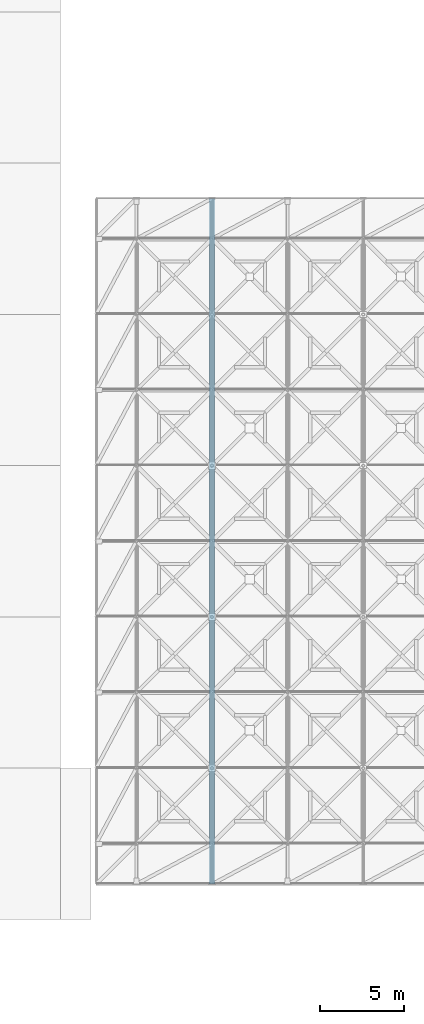
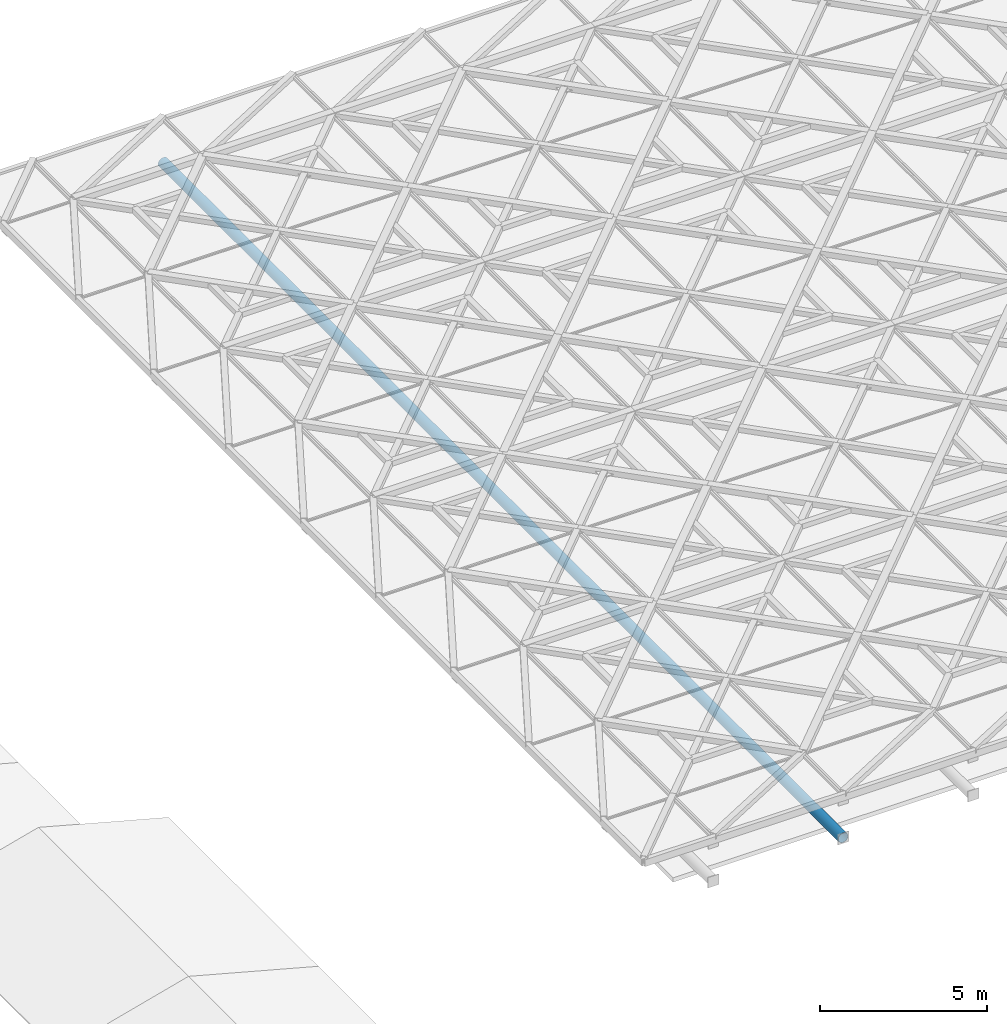
# One storey, part 9 of 80: 1 member.
"""IFC4 building model written with IfcOpenShell, lengths in metres."""

from ifc_helpers import new_model, si_unit, direction, frame, origin, origin_2d, place, context, subcontext, project, spatial, hollow_circle, extrude, material, material_profile, profile_set, type_object, element, save


model = new_model("IFC4")

# Units and contexts
model_context = context("Model", 3, precision=1e-05, world=origin(), true_north=direction((0.0, 1.0)))
body_context = subcontext(model_context, "Body", "Model", "MODEL_VIEW")
ifc_project = project(units=[si_unit("LENGTHUNIT", "METRE"), si_unit("AREAUNIT", "SQUARE_METRE"), si_unit("VOLUMEUNIT", "CUBIC_METRE"), si_unit("PLANEANGLEUNIT", "RADIAN"), si_unit("MASSUNIT", "GRAM", prefix="KILO"), si_unit("THERMODYNAMICTEMPERATUREUNIT", "KELVIN"), si_unit("POWERUNIT", "WATT")], contexts=[model_context])

# Site, building, storey
site_placement = place(None, origin())
site = spatial("IfcSite", under=ifc_project, at=site_placement, CompositionType="ELEMENT")
building_placement = place(site_placement, origin())
building = spatial("IfcBuilding", under=site, at=building_placement, Name="Tallowbark Science Centre", CompositionType="ELEMENT")
storey_placement = place(building_placement, frame((0.0, 0.0, 25.949951171875)))
storey = spatial("IfcBuildingStorey", under=building, at=storey_placement, Name="ROOF", CompositionType="ELEMENT", Elevation=25.949951171875)

# Member
ifc_material = material(Name="White Architectural Painted Steel Grade C350L0 (350 MPa)", Category="steel")
ifc_material_profile = material_profile(ifc_material, hollow_circle(Radius=0.177734375, WallThickness=0.0126953125, at=origin_2d()), Name="355.6x12.7CHS")
ifc_profile_set = profile_set([ifc_material_profile], Name="White Architectural Painted Steel Grade C350L0 (350 MPa)")
member_type = type_object("IfcMemberType", Name="TR-CHD355", PredefinedType="CHORD", material=ifc_profile_set)
member_placement = place(storey_placement, frame((63.0, 2.10009765625, -1.199951171875), z_axis=(0.0, 1.0, 0.0), x_axis=(-1.0, 0.0, 0.0)))
element("IfcMember", 1, at=member_placement, inside=storey, type_object=member_type, Name="Exhibition Roof Truss Bottom Chord 2", PredefinedType="CHORD", context=body_context, shape_type="SweptSolid", body=[
    extrude(hollow_circle(Radius=0.177734375, WallThickness=0.0126953125, at=origin_2d()), origin(), (0.0, 0.0, 1.0), 40.7998046875),
])

save(model, "model.ifc")
